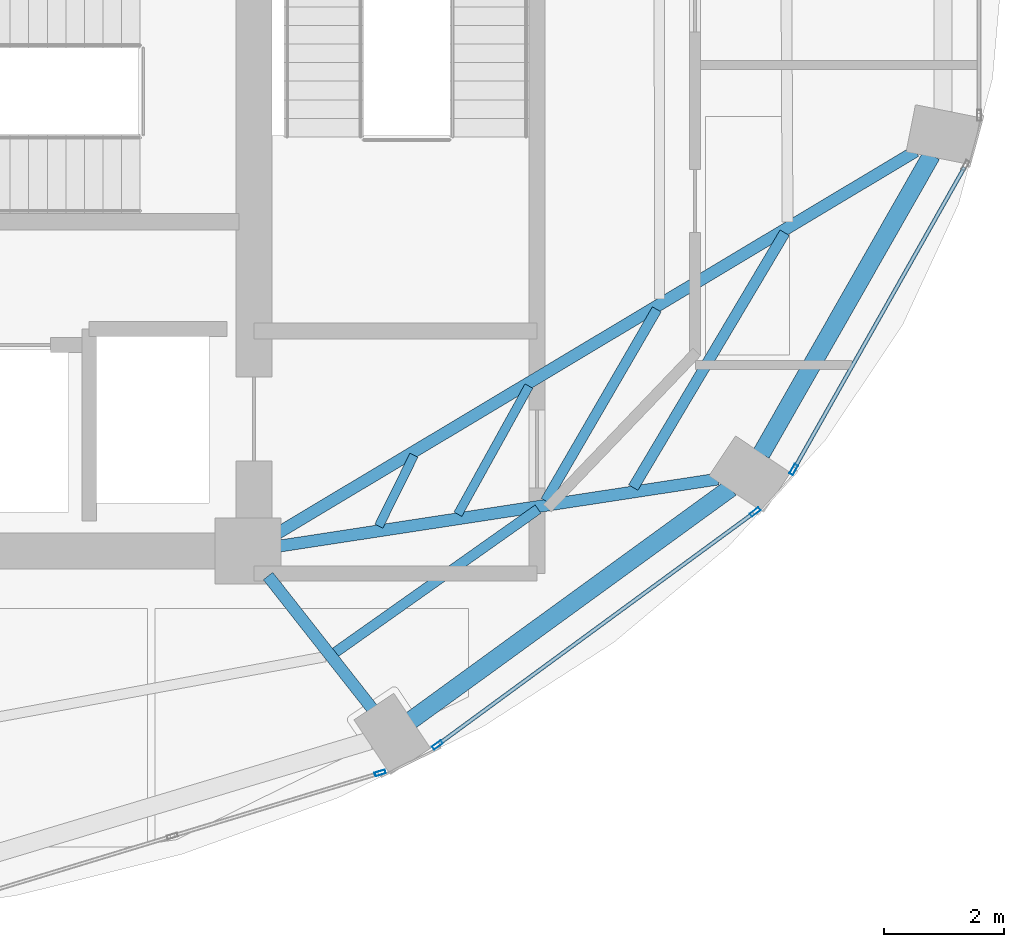
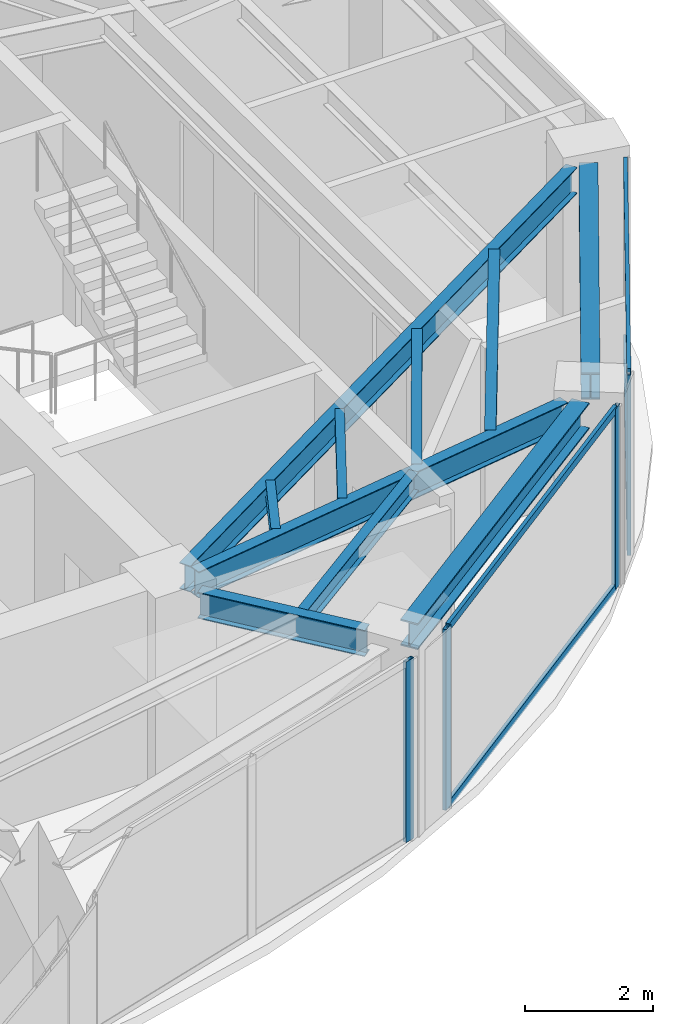
# One storey, part 11 of 21: 10 beams, 8 members, 3 elements without a shape of their own.
"""IFC4 building model written with IfcOpenShell, lengths in metres."""

from ifc_helpers import new_model, si_unit, direction, frame, origin, origin_2d, place, context, subcontext, project, spatial, hollow_rectangle, i_section, extrude, material, layer, layer_set, material_profile, profile_set, type_object, element, aggregate, save


model = new_model("IFC4")

# Units and contexts
model_context = context("Model", 3, precision=1e-05, world=origin(), true_north=direction((0.0, 1.0)))
body_context = subcontext(model_context, "Body", "Model", "MODEL_VIEW")
ifc_project = project(units=[si_unit("LENGTHUNIT", "METRE"), si_unit("AREAUNIT", "SQUARE_METRE"), si_unit("VOLUMEUNIT", "CUBIC_METRE"), si_unit("PLANEANGLEUNIT", "RADIAN"), si_unit("MASSUNIT", "GRAM", prefix="KILO")], contexts=[model_context])

# Site, building, storey
site_placement = place(None, origin())
site = spatial("IfcSite", under=ifc_project, at=site_placement, CompositionType="ELEMENT")
building_placement = place(site_placement, origin())
building = spatial("IfcBuilding", under=site, at=building_placement, Name="Lazwardi Medical Tower", CompositionType="ELEMENT")
storey_placement = place(building_placement, frame((0.0, 0.0, 220.367919921875)))
storey = spatial("IfcBuildingStorey", under=building, at=storey_placement, Name="L57", CompositionType="ELEMENT", Elevation=220.367919921875)

# Beams
ifc_material_1 = material(Name="Steel S355", Category="steel")
ifc_material_profile_1 = material_profile(ifc_material_1, i_section(OverallWidth=0.300048828125, OverallDepth=0.5, WebThickness=0.014404296875, FlangeThickness=0.028076171875, at=origin_2d()), Name="HEB 500")
ifc_profile_set_1 = profile_set([ifc_material_profile_1], Name="Steel S355")
beam_type_1 = type_object("IfcBeamType", Name="BM-RB-Z4", PredefinedType="BEAM", material=ifc_profile_set_1)
beam_1_placement = place(storey_placement, frame((48.31591796875, 17.5751953125, 3.197998046875), z_axis=(0.808889916254, 0.587960120571, 0.0), x_axis=(-0.587960120571, 0.808889916254, 0.0)))
element("IfcBeam", 1, at=beam_1_placement, inside=storey, type_object=beam_type_1, Name="Ring beam RB-05 B02 L57", PredefinedType="BEAM", context=body_context, shape_type="SweptSolid", body=[
    extrude(i_section(OverallWidth=0.300048828125, OverallDepth=0.5, WebThickness=0.014404296875, FlangeThickness=0.028076171875, at=origin_2d()), origin(), (0.0, 0.0, 1.0), 6.587158203125),
])
beam_2_placement = place(storey_placement, frame((54.15283203125, 22.016357421875, 3.197998046875), z_axis=(0.495125273299, 0.868821594886, 0.0), x_axis=(-0.868821594886, 0.495125273299, 0.0)))
element("IfcBeam", 2, at=beam_2_placement, inside=storey, type_object=beam_type_1, Name="Ring beam RB-05 B03 L57", PredefinedType="BEAM", context=body_context, shape_type="SweptSolid", body=[
    extrude(i_section(OverallWidth=0.300048828125, OverallDepth=0.5, WebThickness=0.014404296875, FlangeThickness=0.028076171875, at=origin_2d()), origin(), (0.0, 0.0, 1.0), 5.734130859375),
])
ifc_material_profile_2 = material_profile(ifc_material_1, i_section(OverallWidth=0.199951171875, OverallDepth=0.5, WebThickness=0.01025390625, FlangeThickness=0.01611328125, at=origin_2d()), Name="IPE 500")
ifc_profile_set_2 = profile_set([ifc_material_profile_2], Name="Steel S355")
beam_type_2 = type_object("IfcBeamType", Name="BM-RG-W3", PredefinedType="BEAM", material=ifc_profile_set_2)
beam_3_placement = place(storey_placement, frame((47.669677734375, 17.7666015625, 3.197998046875), z_axis=(-0.617890508382, 0.786264153864, 0.0), x_axis=(-0.786264153864, -0.617890508382, 0.0)))
element("IfcBeam", 3, at=beam_3_placement, inside=storey, type_object=beam_type_2, Name="Radial girder RG-04 R02 L57", PredefinedType="BEAM", context=body_context, shape_type="SweptSolid", body=[
    extrude(i_section(OverallWidth=0.199951171875, OverallDepth=0.5, WebThickness=0.01025390625, FlangeThickness=0.01611328125, at=origin_2d()), origin(), (0.0, 0.0, 1.0), 2.814453125),
])
beam_4_placement = place(storey_placement, frame((53.430908203125, 21.5966796875, 3.197998046875), z_axis=(-0.988522137285, -0.151076087115, 0.0), x_axis=(0.151076087115, -0.988522137285, 0.0)))
element("IfcBeam", 4, at=beam_4_placement, inside=storey, type_object=beam_type_2, Name="Radial girder RG-04 R03 L57", PredefinedType="BEAM", context=body_context, shape_type="SweptSolid", body=[
    extrude(i_section(OverallWidth=0.199951171875, OverallDepth=0.5, WebThickness=0.01025390625, FlangeThickness=0.01611328125, at=origin_2d()), origin(), (0.0, 0.0, 1.0), 7.38671875),
])
beam_5_placement = place(storey_placement, frame((56.72607421875, 27.062255859375, 3.197998046875), z_axis=(-0.857944804603, -0.513741873176, 0.0), x_axis=(0.513741873176, -0.857944804603, 0.0)))
element("IfcBeam", 5, at=beam_5_placement, inside=storey, type_object=beam_type_2, Name="Radial girder RG-04 R04 L57", PredefinedType="BEAM", context=body_context, shape_type="SweptSolid", body=[
    extrude(i_section(OverallWidth=0.199951171875, OverallDepth=0.5, WebThickness=0.01025390625, FlangeThickness=0.01611328125, at=origin_2d()), origin(), (0.0, 0.0, 1.0), 12.43310546875),
])
ifc_material_profile_3 = material_profile(ifc_material_1, i_section(OverallWidth=0.179931640625, OverallDepth=0.39990234375, WebThickness=0.008544921875, FlangeThickness=0.013427734375, at=origin_2d()), Name="IPE 400")
ifc_profile_set_3 = profile_set([ifc_material_profile_3], Name="Steel S355")
beam_type_3 = type_object("IfcBeamType", Name="BM-SJ-01", PredefinedType="JOIST", material=ifc_profile_set_3)
beam_6_placement = place(storey_placement, frame((52.01904296875, 21.455078125, 3.248046875), z_axis=(0.510967866251, 0.859599813668, 0.0), x_axis=(-0.859599813668, 0.510967866251, 0.0)))
element("IfcBeam", 6, at=beam_6_placement, inside=storey, type_object=beam_type_3, Name="Secondary joist SJ-01 R1 B03 L57", PredefinedType="JOIST", context=body_context, shape_type="SweptSolid", body=[
    extrude(i_section(OverallWidth=0.179931640625, OverallDepth=0.39990234375, WebThickness=0.008544921875, FlangeThickness=0.013427734375, at=origin_2d()), origin(), (0.0, 0.0, 1.0), 4.94189453125),
])
ifc_material_profile_4 = material_profile(ifc_material_1, i_section(OverallWidth=0.169921875, OverallDepth=0.360107421875, WebThickness=0.008056640625, FlangeThickness=0.0126953125, at=origin_2d()), Name="IPE 360")
ifc_profile_set_4 = profile_set([ifc_material_profile_4], Name="Steel S355")
beam_type_4 = type_object("IfcBeamType", Name="BM-SJ-02", PredefinedType="JOIST", material=ifc_profile_set_4)
beam_7_placement = place(storey_placement, frame((47.051513671875, 18.70654296875, 3.26806640625), z_axis=(0.816711190406, 0.577046645832, 0.0), x_axis=(-0.577046645832, 0.816711190406, 0.0)))
element("IfcBeam", 7, at=beam_7_placement, inside=storey, type_object=beam_type_4, Name="Secondary joist SJ-02 R2 B02 L57", PredefinedType="JOIST", context=body_context, shape_type="SweptSolid", body=[
    extrude(i_section(OverallWidth=0.169921875, OverallDepth=0.360107421875, WebThickness=0.008056640625, FlangeThickness=0.0126953125, at=origin_2d()), origin(), (0.0, 0.0, 1.0), 4.139892578125),
])
beam_8_placement = place(storey_placement, frame((50.5576171875, 21.232421875, 3.26806640625), z_axis=(0.50218018565, 0.864763008657, 0.0), x_axis=(-0.864763008657, 0.50218018565, 0.0)))
element("IfcBeam", 8, at=beam_8_placement, inside=storey, type_object=beam_type_4, Name="Secondary joist SJ-02 R2 B03 L57", PredefinedType="JOIST", context=body_context, shape_type="SweptSolid", body=[
    extrude(i_section(OverallWidth=0.169921875, OverallDepth=0.360107421875, WebThickness=0.008056640625, FlangeThickness=0.0126953125, at=origin_2d()), origin(), (0.0, 0.0, 1.0), 3.69189453125),
])
ifc_material_profile_5 = material_profile(ifc_material_1, i_section(OverallWidth=0.14990234375, OverallDepth=0.300048828125, WebThickness=0.007080078125, FlangeThickness=0.0107421875, at=origin_2d()), Name="IPE 300")
ifc_profile_set_5 = profile_set([ifc_material_profile_5], Name="Steel S355")
beam_type_5 = type_object("IfcBeamType", Name="BM-SJ-03", PredefinedType="JOIST", material=ifc_profile_set_5)
beam_9_placement = place(storey_placement, frame((49.095703125, 21.01025390625, 3.298095703125), z_axis=(0.484751625998, 0.874651851363, 0.0), x_axis=(-0.874651851363, 0.484751625998, 0.0)))
element("IfcBeam", 9, at=beam_9_placement, inside=storey, type_object=beam_type_5, Name="Secondary joist SJ-03 R3 B03 L57", PredefinedType="JOIST", context=body_context, shape_type="SweptSolid", body=[
    extrude(i_section(OverallWidth=0.14990234375, OverallDepth=0.300048828125, WebThickness=0.007080078125, FlangeThickness=0.0107421875, at=origin_2d()), origin(), (0.0, 0.0, 1.0), 2.442626953125),
])
beam_10_placement = place(storey_placement, frame((47.777587890625, 20.811279296875, 3.298095703125), z_axis=(0.443587297772, 0.89623116954, 0.0), x_axis=(-0.89623116954, 0.443587297772, 0.0)))
element("IfcBeam", 10, at=beam_10_placement, inside=storey, type_object=beam_type_5, Name="Secondary joist SJ-03 R4 B03 L57", PredefinedType="JOIST", context=body_context, shape_type="SweptSolid", body=[
    extrude(i_section(OverallWidth=0.14990234375, OverallDepth=0.300048828125, WebThickness=0.007080078125, FlangeThickness=0.0107421875, at=origin_2d()), origin(), (0.0, 0.0, 1.0), 1.32080078125),
])

# Curtain wall, member
ifc_material_2 = material(Name="Anodised bronze aluminium and solar control glazing", Category="aluminium")
ifc_layer = layer(ifc_material_2, 0.18994140625)
ifc_layer_set = layer_set([ifc_layer], Name="Anodised bronze aluminium and solar control glazing")
curtain_wall_type = type_object("IfcCurtainWallType", Name="CW-SYS-04", PredefinedType="NOTDEFINED", material=ifc_layer_set)
curtain_wall_1_placement = place(storey_placement, origin())
curtain_wall_1 = element("IfcCurtainWall", 11, at=curtain_wall_1_placement, inside=storey, type_object=curtain_wall_type, Name="L57 Unitised bronze curtain wall CW-04", PredefinedType="NOTDEFINED")
ifc_material_3 = material(Name="Anodised bronze aluminium", Category="aluminium")
ifc_material_profile_6 = material_profile(ifc_material_3, hollow_rectangle(XDim=0.06494140625, YDim=0.179931640625, WallThickness=0.00390625, at=origin_2d()), Name="ALU-MULLION 180x65x4")
ifc_profile_set_6 = profile_set([ifc_material_profile_6], Name="Anodised bronze aluminium")
member_type_1 = type_object("IfcMemberType", Name="CW-MUL-03", PredefinedType="MULLION", material=ifc_profile_set_6)
member_1_placement = place(storey_placement, frame((47.7998046875, 16.696533203125, 0.0), z_axis=(0.0, 0.0, 1.0), x_axis=(-0.290581889515, 0.956850126972, 0.0)))
member_1 = element("IfcMember", 12, at=member_1_placement, type_object=member_type_1, Name="CW-04 mullion 3", PredefinedType="MULLION", context=body_context, shape_type="SweptSolid", body=[
    extrude(hollow_rectangle(XDim=0.06494140625, YDim=0.179931640625, WallThickness=0.00390625, at=origin_2d()), origin(), (0.0, 0.0, 1.0), 3.447998046875),
])
aggregate(curtain_wall_1, [member_1])

# Curtain wall, members
curtain_wall_2_placement = place(storey_placement, origin())
curtain_wall_2 = element("IfcCurtainWall", 13, at=curtain_wall_2_placement, inside=storey, type_object=curtain_wall_type, Name="L57 Unitised bronze curtain wall CW-04", PredefinedType="NOTDEFINED")
member_2_placement = place(storey_placement, frame((48.75537109375, 17.1650390625, 0.0), z_axis=(0.0, 0.0, 1.0), x_axis=(-0.591268230971, 0.806474971121, 0.0)))
member_2 = element("IfcMember", 14, at=member_2_placement, type_object=member_type_1, Name="CW-04 mullion 1", PredefinedType="MULLION", context=body_context, shape_type="SweptSolid", body=[
    extrude(hollow_rectangle(XDim=0.06494140625, YDim=0.179931640625, WallThickness=0.00390625, at=origin_2d()), origin(), (0.0, 0.0, 1.0), 3.447998046875),
])
member_3_placement = place(storey_placement, frame((54.052001953125, 21.04833984375, 0.0), z_axis=(0.0, 0.0, 1.0), x_axis=(-0.591268230971, 0.806474971121, 0.0)))
member_3 = element("IfcMember", 15, at=member_3_placement, type_object=member_type_1, Name="CW-04 mullion 2", PredefinedType="MULLION", context=body_context, shape_type="SweptSolid", body=[
    extrude(hollow_rectangle(XDim=0.06494140625, YDim=0.179931640625, WallThickness=0.00390625, at=origin_2d()), origin(), (0.0, 0.0, 1.0), 3.447998046875),
])

# Curtain wall, member
curtain_wall_3_placement = place(storey_placement, origin())
curtain_wall_3 = element("IfcCurtainWall", 16, at=curtain_wall_3_placement, inside=storey, type_object=curtain_wall_type, Name="L57 Unitised bronze curtain wall CW-04", PredefinedType="NOTDEFINED")
member_4_placement = place(storey_placement, frame((54.6943359375, 21.75439453125, 0.0), z_axis=(0.0, 0.0, 1.0), x_axis=(-0.870651436011, 0.491900474661, 0.0)))
member_4 = element("IfcMember", 17, at=member_4_placement, type_object=member_type_1, Name="CW-04 mullion 1", PredefinedType="MULLION", context=body_context, shape_type="SweptSolid", body=[
    extrude(hollow_rectangle(XDim=0.06494140625, YDim=0.179931640625, WallThickness=0.00390625, at=origin_2d()), origin(), (0.0, 0.0, 1.0), 3.447998046875),
])

# Member
ifc_material_profile_7 = material_profile(ifc_material_3, hollow_rectangle(XDim=0.06494140625, YDim=0.139892578125, WallThickness=0.00341796875, at=origin_2d()), Name="ALU-TRANSOM 140x65x3.5")
ifc_profile_set_7 = profile_set([ifc_material_profile_7], Name="Anodised bronze aluminium")
member_type_2 = type_object("IfcMemberType", Name="CW-TRN-03", PredefinedType="USERDEFINED", material=ifc_profile_set_7)
member_5_placement = place(storey_placement, frame((48.781494140625, 17.184326171875, 0.032470703125), z_axis=(0.80648973359, 0.591248094808, 0.0), x_axis=(-0.591248094808, 0.80648973359, 0.0)))
member_5 = element("IfcMember", 18, at=member_5_placement, type_object=member_type_2, Name="CW-04 transom 1.1", ObjectType="TRANSOM", PredefinedType="USERDEFINED", context=body_context, shape_type="SweptSolid", body=[
    extrude(hollow_rectangle(XDim=0.06494140625, YDim=0.139892578125, WallThickness=0.00341796875, at=origin_2d()), origin(), (0.0, 0.0, 1.0), 6.502685546875),
])

member_6_placement = place(storey_placement, frame((48.781494140625, 17.184326171875, 3.41552734375), z_axis=(0.80648973359, 0.591248094808, 0.0), x_axis=(-0.591248094808, 0.80648973359, 0.0)))
member_6 = element("IfcMember", 19, at=member_6_placement, type_object=member_type_2, Name="CW-04 transom 1.2", ObjectType="TRANSOM", PredefinedType="USERDEFINED", context=body_context, shape_type="SweptSolid", body=[
    extrude(hollow_rectangle(XDim=0.06494140625, YDim=0.139892578125, WallThickness=0.00341796875, at=origin_2d()), origin(), (0.0, 0.0, 1.0), 6.502685546875),
])

aggregate(curtain_wall_2, [member_2, member_3, member_5, member_6])

member_7_placement = place(storey_placement, frame((54.71044921875, 21.78271484375, 0.032470703125), z_axis=(0.491879719484, 0.87066316194, 0.0), x_axis=(-0.87066316194, 0.491879719484, 0.0)))
member_7 = element("IfcMember", 20, at=member_7_placement, type_object=member_type_2, Name="CW-04 transom 1.1", ObjectType="TRANSOM", PredefinedType="USERDEFINED", context=body_context, shape_type="SweptSolid", body=[
    extrude(hollow_rectangle(XDim=0.06494140625, YDim=0.139892578125, WallThickness=0.00341796875, at=origin_2d()), origin(), (0.0, 0.0, 1.0), 5.755126953125),
])

member_8_placement = place(storey_placement, frame((54.71044921875, 21.78271484375, 3.41552734375), z_axis=(0.491879719484, 0.87066316194, 0.0), x_axis=(-0.87066316194, 0.491879719484, 0.0)))
member_8 = element("IfcMember", 21, at=member_8_placement, type_object=member_type_2, Name="CW-04 transom 1.2", ObjectType="TRANSOM", PredefinedType="USERDEFINED", context=body_context, shape_type="SweptSolid", body=[
    extrude(hollow_rectangle(XDim=0.06494140625, YDim=0.139892578125, WallThickness=0.00341796875, at=origin_2d()), origin(), (0.0, 0.0, 1.0), 5.755126953125),
])

aggregate(curtain_wall_3, [member_4, member_7, member_8])

save(model, "model.ifc")
